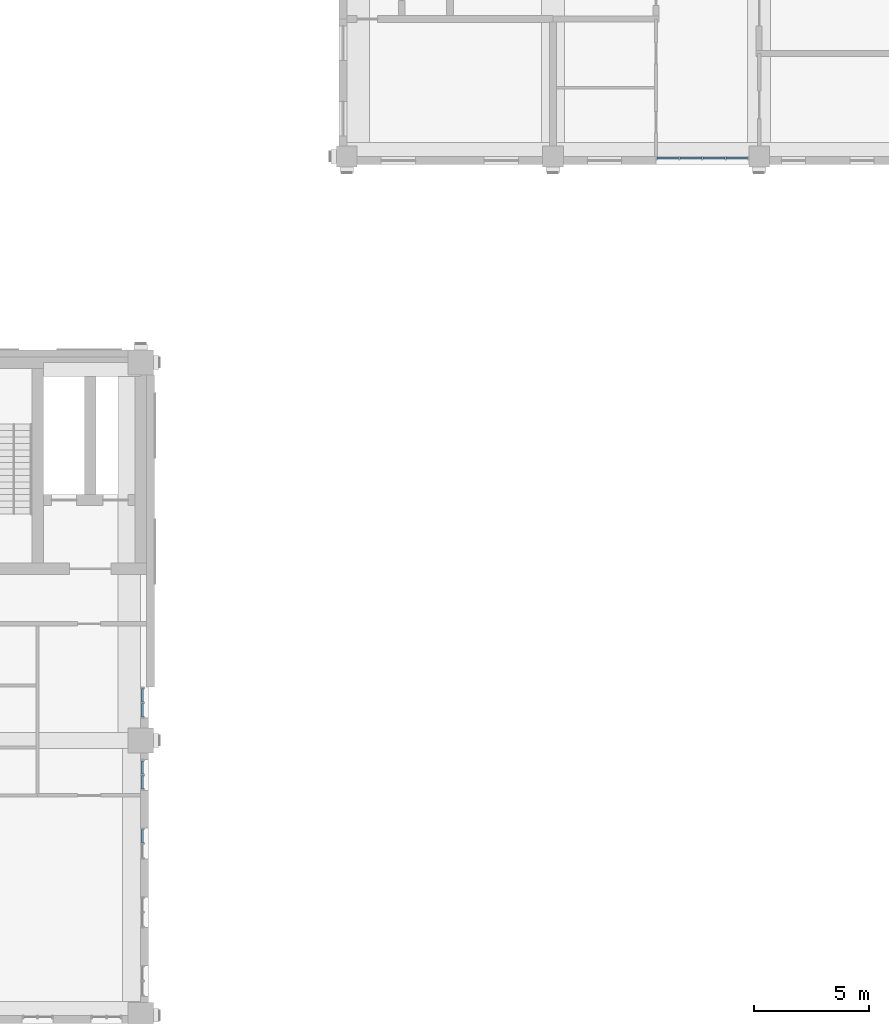
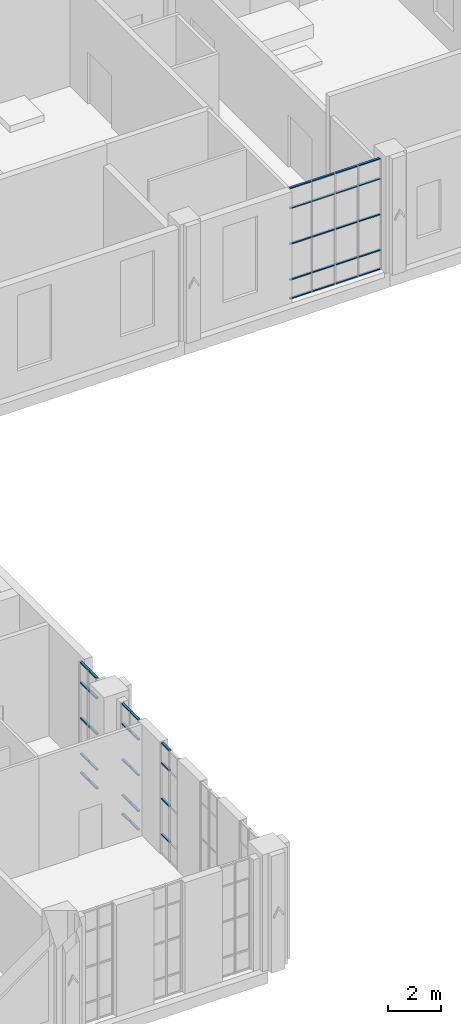
# One storey, part 8 of 25: 44 members, 4 elements without a shape of their own.
"""IFC4 building model written with IfcOpenShell, lengths in metres."""

from ifc_helpers import new_model, si_unit, direction, frame, origin, origin_2d, place, context, subcontext, project, spatial, rectangle, extrude, material, layer, layer_set, material_profile, profile_set, type_object, element, aggregate, save


model = new_model("IFC4")

# Units and contexts
model_context = context("Model", 3, precision=1e-05, world=origin(), true_north=direction((0.0, 1.0)))
body_context = subcontext(model_context, "Body", "Model", "MODEL_VIEW")
ifc_project = project(units=[si_unit("LENGTHUNIT", "METRE"), si_unit("AREAUNIT", "SQUARE_METRE"), si_unit("VOLUMEUNIT", "CUBIC_METRE"), si_unit("PLANEANGLEUNIT", "RADIAN"), si_unit("MASSUNIT", "GRAM", prefix="KILO")], contexts=[model_context])

# Site, building, storey
site_placement = place(None, origin())
site = spatial("IfcSite", under=ifc_project, at=site_placement, CompositionType="ELEMENT")
building_placement = place(site_placement, origin())
building = spatial("IfcBuilding", under=site, at=building_placement, Name="Aurelan Courthouse", CompositionType="ELEMENT")
storey_placement = place(building_placement, frame((0.0, 0.0, 33.60009765625)))
storey = spatial("IfcBuildingStorey", under=building, at=storey_placement, Name="L06", CompositionType="ELEMENT", Elevation=33.60009765625)

# Curtain wall, members
ifc_material_1 = material(Name="Bronze-finished aluminium and glass", Category="aluminium")
ifc_layer_1 = layer(ifc_material_1, 0.14990234375)
ifc_layer_set_1 = layer_set([ifc_layer_1], Name="Bronze-finished aluminium and glass")
curtain_wall_type_1 = type_object("IfcCurtainWallType", Name="Curtain wall 4050 x 5150", PredefinedType="NOTDEFINED", material=ifc_layer_set_1)
curtain_wall_1_placement = place(storey_placement, origin())
curtain_wall_1 = element("IfcCurtainWall", 1, at=curtain_wall_1_placement, inside=storey, type_object=curtain_wall_type_1, Name="Curtain wall CW-V2-L06-S01", PredefinedType="NOTDEFINED")
ifc_material_2 = material(Name="Bronze-finished aluminium", Category="aluminium")
ifc_material_profile_1 = material_profile(ifc_material_2, rectangle(XDim=0.090087890625, YDim=0.050048828125, at=origin_2d()), Name="Bronze transom 50 x 90")
ifc_profile_set_1 = profile_set([ifc_material_profile_1], Name="Bronze-finished aluminium")
member_type_1 = type_object("IfcMemberType", Name="Curtain wall transom 50 x 90", PredefinedType="USERDEFINED", material=ifc_profile_set_1)
member_1_placement = place(storey_placement, frame((49.550048828125, 37.425048828125, 0.02490234375), z_axis=(1.0, 0.0, 0.0), x_axis=(0.0, 1.0, 0.0)))
member_1 = element("IfcMember", 2, at=member_1_placement, type_object=member_type_1, Name="CW-V2-L06-S01 transom 1.1", ObjectType="TRANSOM", PredefinedType="USERDEFINED", context=body_context, shape_type="SweptSolid", body=[
    extrude(rectangle(XDim=0.090087890625, YDim=0.050048828125, at=origin_2d()), origin(), (0.0, 0.0, 1.0), 0.9375),
])
member_2_placement = place(storey_placement, frame((49.550048828125, 37.425048828125, 0.89990234375), z_axis=(1.0, 0.0, 0.0), x_axis=(0.0, 1.0, 0.0)))
member_2 = element("IfcMember", 3, at=member_2_placement, type_object=member_type_1, Name="CW-V2-L06-S01 transom 1.2", ObjectType="TRANSOM", PredefinedType="USERDEFINED", context=body_context, shape_type="SweptSolid", body=[
    extrude(rectangle(XDim=0.090087890625, YDim=0.050048828125, at=origin_2d()), origin(), (0.0, 0.0, 1.0), 0.9375),
])
member_3_placement = place(storey_placement, frame((49.550048828125, 37.425048828125, 2.5498046875), z_axis=(1.0, 0.0, 0.0), x_axis=(0.0, 1.0, 0.0)))
member_3 = element("IfcMember", 4, at=member_3_placement, type_object=member_type_1, Name="CW-V2-L06-S01 transom 1.3", ObjectType="TRANSOM", PredefinedType="USERDEFINED", context=body_context, shape_type="SweptSolid", body=[
    extrude(rectangle(XDim=0.090087890625, YDim=0.050048828125, at=origin_2d()), origin(), (0.0, 0.0, 1.0), 0.9375),
])
member_4_placement = place(storey_placement, frame((49.550048828125, 37.425048828125, 4.199951171875), z_axis=(1.0, 0.0, 0.0), x_axis=(0.0, 1.0, 0.0)))
member_4 = element("IfcMember", 5, at=member_4_placement, type_object=member_type_1, Name="CW-V2-L06-S01 transom 1.4", ObjectType="TRANSOM", PredefinedType="USERDEFINED", context=body_context, shape_type="SweptSolid", body=[
    extrude(rectangle(XDim=0.090087890625, YDim=0.050048828125, at=origin_2d()), origin(), (0.0, 0.0, 1.0), 0.9375),
])
member_5_placement = place(storey_placement, frame((49.550048828125, 37.425048828125, 5.125), z_axis=(1.0, 0.0, 0.0), x_axis=(0.0, 1.0, 0.0)))
member_5 = element("IfcMember", 6, at=member_5_placement, type_object=member_type_1, Name="CW-V2-L06-S01 transom 1.5", ObjectType="TRANSOM", PredefinedType="USERDEFINED", context=body_context, shape_type="SweptSolid", body=[
    extrude(rectangle(XDim=0.090087890625, YDim=0.050048828125, at=origin_2d()), origin(), (0.0, 0.0, 1.0), 0.9375),
])
member_6_placement = place(storey_placement, frame((50.53759765625, 37.425048828125, 0.02490234375), z_axis=(1.0, 0.0, 0.0), x_axis=(0.0, 1.0, 0.0)))
member_6 = element("IfcMember", 7, at=member_6_placement, type_object=member_type_1, Name="CW-V2-L06-S01 transom 2.1", ObjectType="TRANSOM", PredefinedType="USERDEFINED", context=body_context, shape_type="SweptSolid", body=[
    extrude(rectangle(XDim=0.090087890625, YDim=0.050048828125, at=origin_2d()), origin(), (0.0, 0.0, 1.0), 0.96240234375),
])
member_7_placement = place(storey_placement, frame((50.53759765625, 37.425048828125, 0.89990234375), z_axis=(1.0, 0.0, 0.0), x_axis=(0.0, 1.0, 0.0)))
member_7 = element("IfcMember", 8, at=member_7_placement, type_object=member_type_1, Name="CW-V2-L06-S01 transom 2.2", ObjectType="TRANSOM", PredefinedType="USERDEFINED", context=body_context, shape_type="SweptSolid", body=[
    extrude(rectangle(XDim=0.090087890625, YDim=0.050048828125, at=origin_2d()), origin(), (0.0, 0.0, 1.0), 0.96240234375),
])
member_8_placement = place(storey_placement, frame((50.53759765625, 37.425048828125, 2.5498046875), z_axis=(1.0, 0.0, 0.0), x_axis=(0.0, 1.0, 0.0)))
member_8 = element("IfcMember", 9, at=member_8_placement, type_object=member_type_1, Name="CW-V2-L06-S01 transom 2.3", ObjectType="TRANSOM", PredefinedType="USERDEFINED", context=body_context, shape_type="SweptSolid", body=[
    extrude(rectangle(XDim=0.090087890625, YDim=0.050048828125, at=origin_2d()), origin(), (0.0, 0.0, 1.0), 0.96240234375),
])
member_9_placement = place(storey_placement, frame((50.53759765625, 37.425048828125, 4.199951171875), z_axis=(1.0, 0.0, 0.0), x_axis=(0.0, 1.0, 0.0)))
member_9 = element("IfcMember", 10, at=member_9_placement, type_object=member_type_1, Name="CW-V2-L06-S01 transom 2.4", ObjectType="TRANSOM", PredefinedType="USERDEFINED", context=body_context, shape_type="SweptSolid", body=[
    extrude(rectangle(XDim=0.090087890625, YDim=0.050048828125, at=origin_2d()), origin(), (0.0, 0.0, 1.0), 0.96240234375),
])
member_10_placement = place(storey_placement, frame((50.53759765625, 37.425048828125, 5.125), z_axis=(1.0, 0.0, 0.0), x_axis=(0.0, 1.0, 0.0)))
member_10 = element("IfcMember", 11, at=member_10_placement, type_object=member_type_1, Name="CW-V2-L06-S01 transom 2.5", ObjectType="TRANSOM", PredefinedType="USERDEFINED", context=body_context, shape_type="SweptSolid", body=[
    extrude(rectangle(XDim=0.090087890625, YDim=0.050048828125, at=origin_2d()), origin(), (0.0, 0.0, 1.0), 0.96240234375),
])
member_11_placement = place(storey_placement, frame((51.550048828125, 37.425048828125, 0.02490234375), z_axis=(1.0, 0.0, 0.0), x_axis=(0.0, 1.0, 0.0)))
member_11 = element("IfcMember", 12, at=member_11_placement, type_object=member_type_1, Name="CW-V2-L06-S01 transom 3.1", ObjectType="TRANSOM", PredefinedType="USERDEFINED", context=body_context, shape_type="SweptSolid", body=[
    extrude(rectangle(XDim=0.090087890625, YDim=0.050048828125, at=origin_2d()), origin(), (0.0, 0.0, 1.0), 0.96240234375),
])
member_12_placement = place(storey_placement, frame((51.550048828125, 37.425048828125, 0.89990234375), z_axis=(1.0, 0.0, 0.0), x_axis=(0.0, 1.0, 0.0)))
member_12 = element("IfcMember", 13, at=member_12_placement, type_object=member_type_1, Name="CW-V2-L06-S01 transom 3.2", ObjectType="TRANSOM", PredefinedType="USERDEFINED", context=body_context, shape_type="SweptSolid", body=[
    extrude(rectangle(XDim=0.090087890625, YDim=0.050048828125, at=origin_2d()), origin(), (0.0, 0.0, 1.0), 0.96240234375),
])
member_13_placement = place(storey_placement, frame((51.550048828125, 37.425048828125, 2.5498046875), z_axis=(1.0, 0.0, 0.0), x_axis=(0.0, 1.0, 0.0)))
member_13 = element("IfcMember", 14, at=member_13_placement, type_object=member_type_1, Name="CW-V2-L06-S01 transom 3.3", ObjectType="TRANSOM", PredefinedType="USERDEFINED", context=body_context, shape_type="SweptSolid", body=[
    extrude(rectangle(XDim=0.090087890625, YDim=0.050048828125, at=origin_2d()), origin(), (0.0, 0.0, 1.0), 0.96240234375),
])
member_14_placement = place(storey_placement, frame((51.550048828125, 37.425048828125, 4.199951171875), z_axis=(1.0, 0.0, 0.0), x_axis=(0.0, 1.0, 0.0)))
member_14 = element("IfcMember", 15, at=member_14_placement, type_object=member_type_1, Name="CW-V2-L06-S01 transom 3.4", ObjectType="TRANSOM", PredefinedType="USERDEFINED", context=body_context, shape_type="SweptSolid", body=[
    extrude(rectangle(XDim=0.090087890625, YDim=0.050048828125, at=origin_2d()), origin(), (0.0, 0.0, 1.0), 0.96240234375),
])
member_15_placement = place(storey_placement, frame((51.550048828125, 37.425048828125, 5.125), z_axis=(1.0, 0.0, 0.0), x_axis=(0.0, 1.0, 0.0)))
member_15 = element("IfcMember", 16, at=member_15_placement, type_object=member_type_1, Name="CW-V2-L06-S01 transom 3.5", ObjectType="TRANSOM", PredefinedType="USERDEFINED", context=body_context, shape_type="SweptSolid", body=[
    extrude(rectangle(XDim=0.090087890625, YDim=0.050048828125, at=origin_2d()), origin(), (0.0, 0.0, 1.0), 0.96240234375),
])
member_16_placement = place(storey_placement, frame((52.5625, 37.425048828125, 0.02490234375), z_axis=(1.0, 0.0, 0.0), x_axis=(0.0, 1.0, 0.0)))
member_16 = element("IfcMember", 17, at=member_16_placement, type_object=member_type_1, Name="CW-V2-L06-S01 transom 4.1", ObjectType="TRANSOM", PredefinedType="USERDEFINED", context=body_context, shape_type="SweptSolid", body=[
    extrude(rectangle(XDim=0.090087890625, YDim=0.050048828125, at=origin_2d()), origin(), (0.0, 0.0, 1.0), 0.9375),
])
member_17_placement = place(storey_placement, frame((52.5625, 37.425048828125, 0.89990234375), z_axis=(1.0, 0.0, 0.0), x_axis=(0.0, 1.0, 0.0)))
member_17 = element("IfcMember", 18, at=member_17_placement, type_object=member_type_1, Name="CW-V2-L06-S01 transom 4.2", ObjectType="TRANSOM", PredefinedType="USERDEFINED", context=body_context, shape_type="SweptSolid", body=[
    extrude(rectangle(XDim=0.090087890625, YDim=0.050048828125, at=origin_2d()), origin(), (0.0, 0.0, 1.0), 0.9375),
])
member_18_placement = place(storey_placement, frame((52.5625, 37.425048828125, 2.5498046875), z_axis=(1.0, 0.0, 0.0), x_axis=(0.0, 1.0, 0.0)))
member_18 = element("IfcMember", 19, at=member_18_placement, type_object=member_type_1, Name="CW-V2-L06-S01 transom 4.3", ObjectType="TRANSOM", PredefinedType="USERDEFINED", context=body_context, shape_type="SweptSolid", body=[
    extrude(rectangle(XDim=0.090087890625, YDim=0.050048828125, at=origin_2d()), origin(), (0.0, 0.0, 1.0), 0.9375),
])
member_19_placement = place(storey_placement, frame((52.5625, 37.425048828125, 4.199951171875), z_axis=(1.0, 0.0, 0.0), x_axis=(0.0, 1.0, 0.0)))
member_19 = element("IfcMember", 20, at=member_19_placement, type_object=member_type_1, Name="CW-V2-L06-S01 transom 4.4", ObjectType="TRANSOM", PredefinedType="USERDEFINED", context=body_context, shape_type="SweptSolid", body=[
    extrude(rectangle(XDim=0.090087890625, YDim=0.050048828125, at=origin_2d()), origin(), (0.0, 0.0, 1.0), 0.9375),
])
member_20_placement = place(storey_placement, frame((52.5625, 37.425048828125, 5.125), z_axis=(1.0, 0.0, 0.0), x_axis=(0.0, 1.0, 0.0)))
member_20 = element("IfcMember", 21, at=member_20_placement, type_object=member_type_1, Name="CW-V2-L06-S01 transom 4.5", ObjectType="TRANSOM", PredefinedType="USERDEFINED", context=body_context, shape_type="SweptSolid", body=[
    extrude(rectangle(XDim=0.090087890625, YDim=0.050048828125, at=origin_2d()), origin(), (0.0, 0.0, 1.0), 0.9375),
])
aggregate(curtain_wall_1, [member_1, member_2, member_3, member_4, member_5, member_6, member_7, member_8, member_9, member_10, member_11, member_12, member_13, member_14, member_15, member_16, member_17, member_18, member_19, member_20])

ifc_layer_2 = layer(ifc_material_1, 0.14990234375)
ifc_layer_set_2 = layer_set([ifc_layer_2], Name="Bronze-finished aluminium and glass")
curtain_wall_type_2 = type_object("IfcCurtainWallType", Name="Curtain wall 1350 x 5150", PredefinedType="NOTDEFINED", material=ifc_layer_set_2)
curtain_wall_2_placement = place(storey_placement, origin())
curtain_wall_2 = element("IfcCurtainWall", 22, at=curtain_wall_2_placement, inside=storey, type_object=curtain_wall_type_2, Name="Curtain wall CW-V5-L06-E03", PredefinedType="NOTDEFINED")
ifc_material_profile_2 = material_profile(ifc_material_2, rectangle(XDim=0.10009765625, YDim=0.06005859375, at=origin_2d()), Name="Bronze transom 60 x 100")
ifc_profile_set_2 = profile_set([ifc_material_profile_2], Name="Bronze-finished aluminium")
member_type_2 = type_object("IfcMemberType", Name="Curtain wall transom 60 x 100", PredefinedType="USERDEFINED", material=ifc_profile_set_2)
member_21_placement = place(storey_placement, frame((27.074951171875, 7.530029296875, 0.89990234375), z_axis=(0.0, 1.0, 0.0), x_axis=(-1.0, 0.0, 0.0)))
member_21 = element("IfcMember", 23, at=member_21_placement, type_object=member_type_2, Name="CW-V5-L06-E03 transom 2.2", ObjectType="TRANSOM", PredefinedType="USERDEFINED", context=body_context, shape_type="SweptSolid", body=[
    extrude(rectangle(XDim=0.10009765625, YDim=0.06005859375, at=origin_2d()), origin(), (0.0, 0.0, 1.0), 0.5849609375),
])
member_22_placement = place(storey_placement, frame((27.074951171875, 7.530029296875, 2.5498046875), z_axis=(0.0, 1.0, 0.0), x_axis=(-1.0, 0.0, 0.0)))
member_22 = element("IfcMember", 24, at=member_22_placement, type_object=member_type_2, Name="CW-V5-L06-E03 transom 2.3", ObjectType="TRANSOM", PredefinedType="USERDEFINED", context=body_context, shape_type="SweptSolid", body=[
    extrude(rectangle(XDim=0.10009765625, YDim=0.06005859375, at=origin_2d()), origin(), (0.0, 0.0, 1.0), 0.5849609375),
])
member_23_placement = place(storey_placement, frame((27.074951171875, 7.530029296875, 4.199951171875), z_axis=(0.0, 1.0, 0.0), x_axis=(-1.0, 0.0, 0.0)))
member_23 = element("IfcMember", 25, at=member_23_placement, type_object=member_type_2, Name="CW-V5-L06-E03 transom 2.4", ObjectType="TRANSOM", PredefinedType="USERDEFINED", context=body_context, shape_type="SweptSolid", body=[
    extrude(rectangle(XDim=0.10009765625, YDim=0.06005859375, at=origin_2d()), origin(), (0.0, 0.0, 1.0), 0.5849609375),
])
member_24_placement = place(storey_placement, frame((27.074951171875, 7.530029296875, 5.119873046875), z_axis=(0.0, 1.0, 0.0), x_axis=(-1.0, 0.0, 0.0)))
member_24 = element("IfcMember", 26, at=member_24_placement, type_object=member_type_2, Name="CW-V5-L06-E03 transom 2.5", ObjectType="TRANSOM", PredefinedType="USERDEFINED", context=body_context, shape_type="SweptSolid", body=[
    extrude(rectangle(XDim=0.10009765625, YDim=0.06005859375, at=origin_2d()), origin(), (0.0, 0.0, 1.0), 0.5849609375),
])
aggregate(curtain_wall_2, [member_21, member_22, member_23, member_24])

curtain_wall_3_placement = place(storey_placement, origin())
curtain_wall_3 = element("IfcCurtainWall", 27, at=curtain_wall_3_placement, inside=storey, type_object=curtain_wall_type_2, Name="Curtain wall CW-V5-L06-E04", PredefinedType="NOTDEFINED")
member_25_placement = place(storey_placement, frame((27.074951171875, 9.885009765625, 0.02978515625), z_axis=(0.0, 1.0, 0.0), x_axis=(-1.0, 0.0, 0.0)))
member_25 = element("IfcMember", 28, at=member_25_placement, type_object=member_type_2, Name="CW-V5-L06-E04 transom 1.1", ObjectType="TRANSOM", PredefinedType="USERDEFINED", context=body_context, shape_type="SweptSolid", body=[
    extrude(rectangle(XDim=0.10009765625, YDim=0.06005859375, at=origin_2d()), origin(), (0.0, 0.0, 1.0), 0.5849609375),
])
member_26_placement = place(storey_placement, frame((27.074951171875, 9.885009765625, 0.89990234375), z_axis=(0.0, 1.0, 0.0), x_axis=(-1.0, 0.0, 0.0)))
member_26 = element("IfcMember", 29, at=member_26_placement, type_object=member_type_2, Name="CW-V5-L06-E04 transom 1.2", ObjectType="TRANSOM", PredefinedType="USERDEFINED", context=body_context, shape_type="SweptSolid", body=[
    extrude(rectangle(XDim=0.10009765625, YDim=0.06005859375, at=origin_2d()), origin(), (0.0, 0.0, 1.0), 0.5849609375),
])
member_27_placement = place(storey_placement, frame((27.074951171875, 9.885009765625, 2.5498046875), z_axis=(0.0, 1.0, 0.0), x_axis=(-1.0, 0.0, 0.0)))
member_27 = element("IfcMember", 30, at=member_27_placement, type_object=member_type_2, Name="CW-V5-L06-E04 transom 1.3", ObjectType="TRANSOM", PredefinedType="USERDEFINED", context=body_context, shape_type="SweptSolid", body=[
    extrude(rectangle(XDim=0.10009765625, YDim=0.06005859375, at=origin_2d()), origin(), (0.0, 0.0, 1.0), 0.5849609375),
])
member_28_placement = place(storey_placement, frame((27.074951171875, 9.885009765625, 4.199951171875), z_axis=(0.0, 1.0, 0.0), x_axis=(-1.0, 0.0, 0.0)))
member_28 = element("IfcMember", 31, at=member_28_placement, type_object=member_type_2, Name="CW-V5-L06-E04 transom 1.4", ObjectType="TRANSOM", PredefinedType="USERDEFINED", context=body_context, shape_type="SweptSolid", body=[
    extrude(rectangle(XDim=0.10009765625, YDim=0.06005859375, at=origin_2d()), origin(), (0.0, 0.0, 1.0), 0.5849609375),
])
member_29_placement = place(storey_placement, frame((27.074951171875, 9.885009765625, 5.119873046875), z_axis=(0.0, 1.0, 0.0), x_axis=(-1.0, 0.0, 0.0)))
member_29 = element("IfcMember", 32, at=member_29_placement, type_object=member_type_2, Name="CW-V5-L06-E04 transom 1.5", ObjectType="TRANSOM", PredefinedType="USERDEFINED", context=body_context, shape_type="SweptSolid", body=[
    extrude(rectangle(XDim=0.10009765625, YDim=0.06005859375, at=origin_2d()), origin(), (0.0, 0.0, 1.0), 0.5849609375),
])
member_30_placement = place(storey_placement, frame((27.074951171875, 10.530029296875, 0.02978515625), z_axis=(0.0, 1.0, 0.0), x_axis=(-1.0, 0.0, 0.0)))
member_30 = element("IfcMember", 33, at=member_30_placement, type_object=member_type_2, Name="CW-V5-L06-E04 transom 2.1", ObjectType="TRANSOM", PredefinedType="USERDEFINED", context=body_context, shape_type="SweptSolid", body=[
    extrude(rectangle(XDim=0.10009765625, YDim=0.06005859375, at=origin_2d()), origin(), (0.0, 0.0, 1.0), 0.5849609375),
])
member_31_placement = place(storey_placement, frame((27.074951171875, 10.530029296875, 0.89990234375), z_axis=(0.0, 1.0, 0.0), x_axis=(-1.0, 0.0, 0.0)))
member_31 = element("IfcMember", 34, at=member_31_placement, type_object=member_type_2, Name="CW-V5-L06-E04 transom 2.2", ObjectType="TRANSOM", PredefinedType="USERDEFINED", context=body_context, shape_type="SweptSolid", body=[
    extrude(rectangle(XDim=0.10009765625, YDim=0.06005859375, at=origin_2d()), origin(), (0.0, 0.0, 1.0), 0.5849609375),
])
member_32_placement = place(storey_placement, frame((27.074951171875, 10.530029296875, 2.5498046875), z_axis=(0.0, 1.0, 0.0), x_axis=(-1.0, 0.0, 0.0)))
member_32 = element("IfcMember", 35, at=member_32_placement, type_object=member_type_2, Name="CW-V5-L06-E04 transom 2.3", ObjectType="TRANSOM", PredefinedType="USERDEFINED", context=body_context, shape_type="SweptSolid", body=[
    extrude(rectangle(XDim=0.10009765625, YDim=0.06005859375, at=origin_2d()), origin(), (0.0, 0.0, 1.0), 0.5849609375),
])
member_33_placement = place(storey_placement, frame((27.074951171875, 10.530029296875, 4.199951171875), z_axis=(0.0, 1.0, 0.0), x_axis=(-1.0, 0.0, 0.0)))
member_33 = element("IfcMember", 36, at=member_33_placement, type_object=member_type_2, Name="CW-V5-L06-E04 transom 2.4", ObjectType="TRANSOM", PredefinedType="USERDEFINED", context=body_context, shape_type="SweptSolid", body=[
    extrude(rectangle(XDim=0.10009765625, YDim=0.06005859375, at=origin_2d()), origin(), (0.0, 0.0, 1.0), 0.5849609375),
])
member_34_placement = place(storey_placement, frame((27.074951171875, 10.530029296875, 5.119873046875), z_axis=(0.0, 1.0, 0.0), x_axis=(-1.0, 0.0, 0.0)))
member_34 = element("IfcMember", 37, at=member_34_placement, type_object=member_type_2, Name="CW-V5-L06-E04 transom 2.5", ObjectType="TRANSOM", PredefinedType="USERDEFINED", context=body_context, shape_type="SweptSolid", body=[
    extrude(rectangle(XDim=0.10009765625, YDim=0.06005859375, at=origin_2d()), origin(), (0.0, 0.0, 1.0), 0.5849609375),
])
aggregate(curtain_wall_3, [member_25, member_26, member_27, member_28, member_29, member_30, member_31, member_32, member_33, member_34])

curtain_wall_4_placement = place(storey_placement, origin())
curtain_wall_4 = element("IfcCurtainWall", 38, at=curtain_wall_4_placement, inside=storey, type_object=curtain_wall_type_2, Name="Curtain wall CW-V5-L06-E05", PredefinedType="NOTDEFINED")
member_35_placement = place(storey_placement, frame((27.074951171875, 13.034912109375, 0.02978515625), z_axis=(0.0, 1.0, 0.0), x_axis=(-1.0, 0.0, 0.0)))
member_35 = element("IfcMember", 39, at=member_35_placement, type_object=member_type_2, Name="CW-V5-L06-E05 transom 1.1", ObjectType="TRANSOM", PredefinedType="USERDEFINED", context=body_context, shape_type="SweptSolid", body=[
    extrude(rectangle(XDim=0.10009765625, YDim=0.06005859375, at=origin_2d()), origin(), (0.0, 0.0, 1.0), 0.585205078125),
])
member_36_placement = place(storey_placement, frame((27.074951171875, 13.034912109375, 0.89990234375), z_axis=(0.0, 1.0, 0.0), x_axis=(-1.0, 0.0, 0.0)))
member_36 = element("IfcMember", 40, at=member_36_placement, type_object=member_type_2, Name="CW-V5-L06-E05 transom 1.2", ObjectType="TRANSOM", PredefinedType="USERDEFINED", context=body_context, shape_type="SweptSolid", body=[
    extrude(rectangle(XDim=0.10009765625, YDim=0.06005859375, at=origin_2d()), origin(), (0.0, 0.0, 1.0), 0.585205078125),
])
member_37_placement = place(storey_placement, frame((27.074951171875, 13.034912109375, 2.5498046875), z_axis=(0.0, 1.0, 0.0), x_axis=(-1.0, 0.0, 0.0)))
member_37 = element("IfcMember", 41, at=member_37_placement, type_object=member_type_2, Name="CW-V5-L06-E05 transom 1.3", ObjectType="TRANSOM", PredefinedType="USERDEFINED", context=body_context, shape_type="SweptSolid", body=[
    extrude(rectangle(XDim=0.10009765625, YDim=0.06005859375, at=origin_2d()), origin(), (0.0, 0.0, 1.0), 0.585205078125),
])
member_38_placement = place(storey_placement, frame((27.074951171875, 13.034912109375, 4.199951171875), z_axis=(0.0, 1.0, 0.0), x_axis=(-1.0, 0.0, 0.0)))
member_38 = element("IfcMember", 42, at=member_38_placement, type_object=member_type_2, Name="CW-V5-L06-E05 transom 1.4", ObjectType="TRANSOM", PredefinedType="USERDEFINED", context=body_context, shape_type="SweptSolid", body=[
    extrude(rectangle(XDim=0.10009765625, YDim=0.06005859375, at=origin_2d()), origin(), (0.0, 0.0, 1.0), 0.585205078125),
])
member_39_placement = place(storey_placement, frame((27.074951171875, 13.034912109375, 5.119873046875), z_axis=(0.0, 1.0, 0.0), x_axis=(-1.0, 0.0, 0.0)))
member_39 = element("IfcMember", 43, at=member_39_placement, type_object=member_type_2, Name="CW-V5-L06-E05 transom 1.5", ObjectType="TRANSOM", PredefinedType="USERDEFINED", context=body_context, shape_type="SweptSolid", body=[
    extrude(rectangle(XDim=0.10009765625, YDim=0.06005859375, at=origin_2d()), origin(), (0.0, 0.0, 1.0), 0.585205078125),
])
member_40_placement = place(storey_placement, frame((27.074951171875, 13.679931640625, 0.02978515625), z_axis=(0.0, 1.0, 0.0), x_axis=(-1.0, 0.0, 0.0)))
member_40 = element("IfcMember", 44, at=member_40_placement, type_object=member_type_2, Name="CW-V5-L06-E05 transom 2.1", ObjectType="TRANSOM", PredefinedType="USERDEFINED", context=body_context, shape_type="SweptSolid", body=[
    extrude(rectangle(XDim=0.10009765625, YDim=0.06005859375, at=origin_2d()), origin(), (0.0, 0.0, 1.0), 0.5849609375),
])
member_41_placement = place(storey_placement, frame((27.074951171875, 13.679931640625, 0.89990234375), z_axis=(0.0, 1.0, 0.0), x_axis=(-1.0, 0.0, 0.0)))
member_41 = element("IfcMember", 45, at=member_41_placement, type_object=member_type_2, Name="CW-V5-L06-E05 transom 2.2", ObjectType="TRANSOM", PredefinedType="USERDEFINED", context=body_context, shape_type="SweptSolid", body=[
    extrude(rectangle(XDim=0.10009765625, YDim=0.06005859375, at=origin_2d()), origin(), (0.0, 0.0, 1.0), 0.5849609375),
])
member_42_placement = place(storey_placement, frame((27.074951171875, 13.679931640625, 2.5498046875), z_axis=(0.0, 1.0, 0.0), x_axis=(-1.0, 0.0, 0.0)))
member_42 = element("IfcMember", 46, at=member_42_placement, type_object=member_type_2, Name="CW-V5-L06-E05 transom 2.3", ObjectType="TRANSOM", PredefinedType="USERDEFINED", context=body_context, shape_type="SweptSolid", body=[
    extrude(rectangle(XDim=0.10009765625, YDim=0.06005859375, at=origin_2d()), origin(), (0.0, 0.0, 1.0), 0.5849609375),
])
member_43_placement = place(storey_placement, frame((27.074951171875, 13.679931640625, 4.199951171875), z_axis=(0.0, 1.0, 0.0), x_axis=(-1.0, 0.0, 0.0)))
member_43 = element("IfcMember", 47, at=member_43_placement, type_object=member_type_2, Name="CW-V5-L06-E05 transom 2.4", ObjectType="TRANSOM", PredefinedType="USERDEFINED", context=body_context, shape_type="SweptSolid", body=[
    extrude(rectangle(XDim=0.10009765625, YDim=0.06005859375, at=origin_2d()), origin(), (0.0, 0.0, 1.0), 0.5849609375),
])
member_44_placement = place(storey_placement, frame((27.074951171875, 13.679931640625, 5.119873046875), z_axis=(0.0, 1.0, 0.0), x_axis=(-1.0, 0.0, 0.0)))
member_44 = element("IfcMember", 48, at=member_44_placement, type_object=member_type_2, Name="CW-V5-L06-E05 transom 2.5", ObjectType="TRANSOM", PredefinedType="USERDEFINED", context=body_context, shape_type="SweptSolid", body=[
    extrude(rectangle(XDim=0.10009765625, YDim=0.06005859375, at=origin_2d()), origin(), (0.0, 0.0, 1.0), 0.5849609375),
])
aggregate(curtain_wall_4, [member_35, member_36, member_37, member_38, member_39, member_40, member_41, member_42, member_43, member_44])

save(model, "model.ifc")
